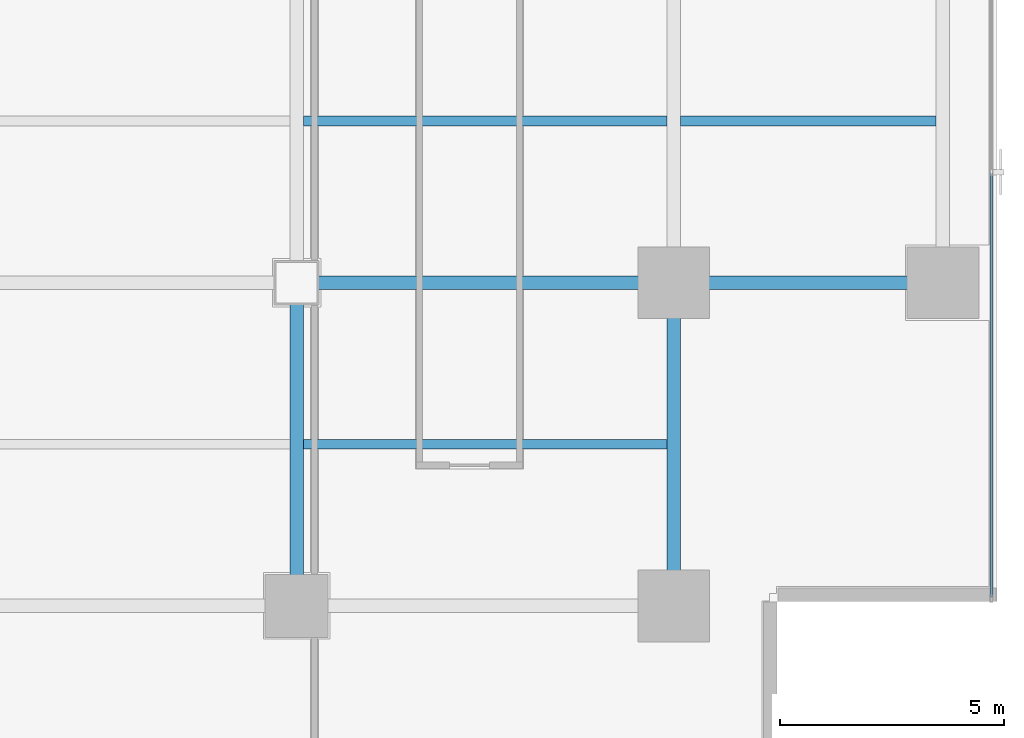
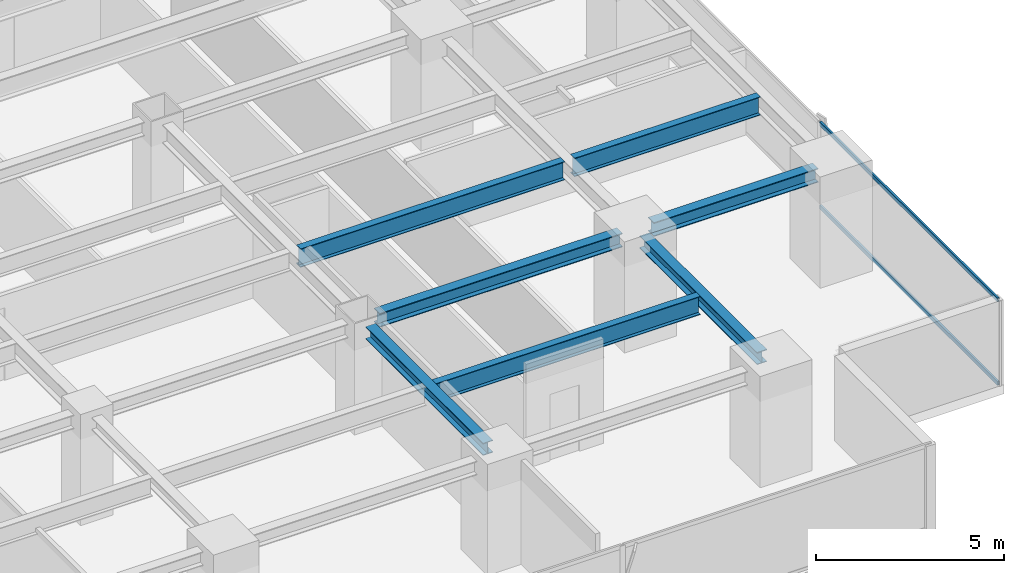
# One storey, part 10 of 29: 7 beams, 2 members, 1 element without a shape of its own.
"""IFC4 building model written with IfcOpenShell, lengths in metres."""

import ifcopenshell
import ifcopenshell.guid

model = None  # the IFC model being written
_history = None  # IfcOwnerHistory: only IFC2X3 demands one
_inside = {}  # id of a spatial element -> (the spatial element, [elements in it])
_under = {}  # id of a project, library or spatial element -> (it, [spatial elements below it])
_declared = {}  # id of a project -> (the project, [libraries it declares])
_typed = {}  # id of a type object -> (the type object, [elements of that type])
_made_of = {}  # id of a material, layer set ... -> (it, [elements and type objects made of it])


def new_model(schema):
    """Start an empty IFC model of exactly this schema.

    Asked for "IFC4X3", IfcOpenShell would pick the latest addendum, in which some entities
    have other attributes; the version numbers below select the first issue.
    IFC2X3 requires an IfcOwnerHistory on every rooted entity: one is made here for all.
    """
    global model, _history
    if schema == "IFC4X3":
        model = ifcopenshell.file(schema_version=(4, 3, 0, 0))
    else:
        model = ifcopenshell.file(schema=schema)
    _inside.clear()
    _under.clear()
    _declared.clear()
    _typed.clear()
    _made_of.clear()
    _history = None
    if model.schema == "IFC2X3":
        org = make("IfcOrganization", Name="unknown")
        user = make(
            "IfcPersonAndOrganization",
            ThePerson=make("IfcPerson", FamilyName="unknown"),
            TheOrganization=org,
        )
        app = make(
            "IfcApplication",
            ApplicationDeveloper=org,
            Version="unknown",
            ApplicationFullName="unknown",
            ApplicationIdentifier="unknown",
        )
        _history = make(
            "IfcOwnerHistory",
            OwningUser=user,
            OwningApplication=app,
            ChangeAction="ADDED",
            CreationDate=0,
        )
    return model


def make(cls, **values):
    """One entity of the class cls with the attributes given. An attribute that is None is left unset."""
    return model.create_entity(
        cls, **{name: value for name, value in values.items() if value is not None}
    )


def rooted(cls, **values):
    """An entity with a GlobalId (a new one), such as an element, a storey or a relation."""
    return make(cls, GlobalId=ifcopenshell.guid.new(), OwnerHistory=_history, **values)


def si_unit(unit_type, name, prefix=None):
    """IfcSIUnit, for example si_unit("LENGTHUNIT", "METRE", prefix="MILLI")."""
    return make("IfcSIUnit", UnitType=unit_type, Prefix=prefix, Name=name)


def assignment(units):
    """IfcUnitAssignment: the units of a project."""
    return None if units is None else make("IfcUnitAssignment", Units=units)


def point(xyz):
    """IfcCartesianPoint."""
    return None if xyz is None else make("IfcCartesianPoint", Coordinates=xyz)


def direction(xyz):
    """IfcDirection."""
    return None if xyz is None else make("IfcDirection", DirectionRatios=xyz)


def frame(location, z_axis=None, x_axis=None):
    """IfcAxis2Placement3D, a coordinate frame: its origin and axes. An axis left out is left unset."""
    return make(
        "IfcAxis2Placement3D",
        Location=point(location),
        Axis=direction(z_axis),
        RefDirection=direction(x_axis),
    )


def frame_2d(location, x_axis=None):
    """IfcAxis2Placement2D, a coordinate frame in the plane: its origin and x axis."""
    return make(
        "IfcAxis2Placement2D", Location=point(location), RefDirection=direction(x_axis)
    )


def origin():
    """The frame at (0, 0, 0) with its axes left unset."""
    return frame((0.0, 0.0, 0.0))


def origin_2d():
    """The frame at (0, 0) in the plane with its x axis left unset."""
    return frame_2d((0.0, 0.0))


def place(relative_to, where):
    """IfcLocalPlacement: puts the frame where relative to a parent placement (None: the world)."""
    return make(
        "IfcLocalPlacement", PlacementRelTo=relative_to, RelativePlacement=where
    )


def context(
    kind, dimensions, precision=None, world=None, true_north=None, identifier=None
):
    """IfcGeometricRepresentationContext, for example the 3D "Model" context."""
    return make(
        "IfcGeometricRepresentationContext",
        ContextIdentifier=identifier,
        ContextType=kind,
        CoordinateSpaceDimension=dimensions,
        Precision=precision,
        WorldCoordinateSystem=world,
        TrueNorth=true_north,
    )


def subcontext(parent, identifier, kind, view, scale=None):
    """IfcGeometricRepresentationSubContext, for example "Body" below "Model"."""
    return make(
        "IfcGeometricRepresentationSubContext",
        ContextIdentifier=identifier,
        ContextType=kind,
        ParentContext=parent,
        TargetScale=scale,
        TargetView=view,
    )


def project(units=None, contexts=None):
    """IfcProject with its units and contexts."""
    return rooted(
        "IfcProject",
        Name="project",
        RepresentationContexts=contexts,
        UnitsInContext=assignment(units),
    )


def spatial(cls, under=None, at=None, **own):
    """A site, building, storey or space (cls), placed at a placement, below another one or the project."""
    s = rooted(cls, ObjectPlacement=at, **own)
    if under is not None:
        _under.setdefault(under.id(), (under, []))[1].append(s)
    return s


def profile(cls, at=None, kind="AREA", **sizes):
    """A parametric profile (cls). Its sizes go by their IFC names, for example OverallWidth=200.0."""
    return make(cls, ProfileType=kind, Position=at, **sizes)


def hollow_rectangle(**sizes):
    """IfcRectangleHollowProfileDef."""
    return profile("IfcRectangleHollowProfileDef", **sizes)


def i_section(**sizes):
    """IfcIShapeProfileDef."""
    return profile("IfcIShapeProfileDef", **sizes)


def extrude(swept, where, along, depth):
    """IfcExtrudedAreaSolid: the profile swept, set in the frame where, extruded along a direction by depth."""
    return make(
        "IfcExtrudedAreaSolid",
        SweptArea=swept,
        Position=where,
        ExtrudedDirection=direction(along),
        Depth=depth,
    )


def shape(context_of_items, identifier, shape_type, items):
    """IfcShapeRepresentation: the items that make up one representation, for example the "Body"."""
    return make(
        "IfcShapeRepresentation",
        ContextOfItems=context_of_items,
        RepresentationIdentifier=identifier,
        RepresentationType=shape_type,
        Items=items,
    )


def source(mapping_origin, context_of_items, identifier, shape_type, items):
    """IfcRepresentationMap: a shape defined once, which mapped items show again and again."""
    return make(
        "IfcRepresentationMap",
        MappingOrigin=mapping_origin,
        MappedRepresentation=shape(context_of_items, identifier, shape_type, items),
    )


def transform(
    local_origin,
    x_axis=None,
    y_axis=None,
    z_axis=None,
    scale=None,
    scale2=None,
    scale3=None,
    uniform=True,
):
    """IfcCartesianTransformationOperator3D, or its non-uniform kind. x_axis, y_axis, z_axis: its Axis1, 2, 3."""
    if uniform:
        return make(
            "IfcCartesianTransformationOperator3D",
            Axis1=direction(x_axis),
            Axis2=direction(y_axis),
            LocalOrigin=point(local_origin),
            Scale=scale,
            Axis3=direction(z_axis),
        )
    return make(
        "IfcCartesianTransformationOperator3DnonUniform",
        Axis1=direction(x_axis),
        Axis2=direction(y_axis),
        LocalOrigin=point(local_origin),
        Scale=scale,
        Axis3=direction(z_axis),
        Scale2=scale2,
        Scale3=scale3,
    )


def mapped(mapping_source, mapping_target):
    """IfcMappedItem: shows the shape of a source again, moved by a transform."""
    return make(
        "IfcMappedItem", MappingSource=mapping_source, MappingTarget=mapping_target
    )


def material(Name=None, Category=None):
    """IfcMaterial."""
    return make("IfcMaterial", Name=Name, Category=Category)


def layer(
    of_material, thickness, ventilated=None, Name=None, Category=None, Priority=None
):
    """IfcMaterialLayer: one layer of a wall or slab, of a material (None: an air gap)."""
    return make(
        "IfcMaterialLayer",
        Material=of_material,
        LayerThickness=thickness,
        IsVentilated=ventilated,
        Name=Name,
        Category=Category,
        Priority=Priority,
    )


def layer_set(layers, Name=None):
    """IfcMaterialLayerSet."""
    return make("IfcMaterialLayerSet", MaterialLayers=layers, LayerSetName=Name)


def material_profile(
    of_material, cross_section, Name=None, Category=None, Priority=None
):
    """IfcMaterialProfile: a cross section and its material."""
    return make(
        "IfcMaterialProfile",
        Name=Name,
        Material=of_material,
        Profile=cross_section,
        Priority=Priority,
        Category=Category,
    )


def profile_set(profiles, Name=None, composite=None):
    """IfcMaterialProfileSet."""
    return make(
        "IfcMaterialProfileSet",
        Name=Name,
        MaterialProfiles=profiles,
        CompositeProfile=composite,
    )


def made_of(thing, what):
    """Note that an element or type object is made of a material, layer set ...; save() writes the relation."""
    if what is not None:
        _made_of.setdefault(what.id(), (what, []))[1].append(thing)
    return thing


def type_object(cls, material=None, **own):
    """A type object (cls), such as IfcWallType, which elements share."""
    return made_of(rooted(cls, **own), material)


def element(
    cls,
    number,
    at=None,
    inside=None,
    cuts=None,
    type_object=None,
    material=None,
    context=None,
    identifier="Body",
    shape_type=None,
    held_by="IfcProductDefinitionShape",
    body=None,
    shapes=None,
    **own,
):
    """One element of the class cls, such as IfcWall. Its Tag is "e" and its number.

    at: its placement. inside: the storey or other place that contains it. cuts: it is an
    opening in that element (IfcRelVoidsElement). A single representation is given by context,
    identifier, shape_type and body (its items); several are given by shapes. held_by: the class
    of the entity that holds the representations. save() writes the other relations.
    """
    e = rooted(cls, Tag="e%d" % number, ObjectPlacement=at, **own)
    if body is not None:
        shapes = [shape(context, identifier, shape_type, body)]
    if shapes is not None:
        e.Representation = make(held_by, Representations=shapes)
    if inside is not None:
        _inside.setdefault(inside.id(), (inside, []))[1].append(e)
    if cuts is not None:
        rooted(
            "IfcRelVoidsElement", RelatingBuildingElement=cuts, RelatedOpeningElement=e
        )
    if type_object is not None:
        _typed.setdefault(type_object.id(), (type_object, []))[1].append(e)
    return made_of(e, material)


def aggregate(whole, parts):
    """IfcRelAggregates: a whole, such as a stair, and the parts it consists of."""
    return rooted("IfcRelAggregates", RelatingObject=whole, RelatedObjects=parts)


def save(model, path):
    """Write the relations noted so far, then the file.

    IfcRelAggregates (storeys below a building ...), IfcRelContainedInSpatialStructure (elements
    in a storey), IfcRelDefinesByType, IfcRelAssociatesMaterial and IfcRelDeclares: one each for
    every whole, place, type object, material and project.
    """
    for whole, parts in _under.values():
        aggregate(whole, parts)
    for where, things in _inside.values():
        rooted(
            "IfcRelContainedInSpatialStructure",
            RelatedElements=things,
            RelatingStructure=where,
        )
    for kind, things in _typed.values():
        rooted("IfcRelDefinesByType", RelatedObjects=things, RelatingType=kind)
    for what, things in _made_of.values():
        rooted("IfcRelAssociatesMaterial", RelatedObjects=things, RelatingMaterial=what)
    for by, libraries in _declared.values():
        rooted("IfcRelDeclares", RelatingContext=by, RelatedDefinitions=libraries)
    model.write(path)


model = new_model("IFC4")

# Units and contexts
model_context = context("Model", 3, precision=1e-05, world=origin(), true_north=direction((0.0, 1.0)))
body_context = subcontext(model_context, "Body", "Model", "MODEL_VIEW")
ifc_project = project(units=[si_unit("LENGTHUNIT", "METRE"), si_unit("AREAUNIT", "SQUARE_METRE"), si_unit("VOLUMEUNIT", "CUBIC_METRE"), si_unit("PLANEANGLEUNIT", "RADIAN"), si_unit("MASSUNIT", "GRAM", prefix="KILO")], contexts=[model_context])

# Site, building, storey
site_placement = place(None, origin())
site = spatial("IfcSite", under=ifc_project, at=site_placement, CompositionType="ELEMENT")
building_placement = place(site_placement, origin())
building = spatial("IfcBuilding", under=site, at=building_placement, Name="Sumidabori Civic Tower", CompositionType="ELEMENT")
storey_placement = place(building_placement, frame((0.0, 0.0, 131.60009765625)))
storey = spatial("IfcBuildingStorey", under=building, at=storey_placement, Name="L33", CompositionType="ELEMENT", Elevation=131.60009765625)

# Beams
ifc_material_1 = material(Name="Steel SN490", Category="steel")
ifc_material_profile_1 = material_profile(ifc_material_1, i_section(OverallWidth=0.300048828125, OverallDepth=0.39990234375, WebThickness=0.013427734375, FlangeThickness=0.02392578125, at=origin_2d()), Name="HE 400 B")
ifc_profile_set_1 = profile_set([ifc_material_profile_1], Name="Steel SN490")
beam_type_1 = type_object("IfcBeamType", Name="BM-GIRD-400", PredefinedType="BEAM", material=ifc_profile_set_1)
shared_shape_1 = source(origin(), body_context, "Body", "SweptSolid", [
    extrude(i_section(OverallWidth=0.300048828125, OverallDepth=0.39990234375, WebThickness=0.013427734375, FlangeThickness=0.02392578125, at=origin_2d()), origin(), (0.0, 0.0, 1.0), 6.239990234375),
])
for number, where, z_axis, x_axis, name in (
    (1, (8.39990234375, -17.52001953125, 3.179931640625), (0.0, 1.0, 0.0), (-1.0, 0.0, 0.0), "Primary Girder L33 GY-30"),
    (2, (16.800048828125, -17.52001953125, 3.179931640625), (0.0, 1.0, 0.0), (-1.0, 0.0, 0.0), "Primary Girder L33 GY-32"),
):
    element("IfcBeam", number, at=place(storey_placement, frame(where, z_axis=z_axis, x_axis=x_axis)), inside=storey, type_object=beam_type_1, Name=name, PredefinedType="BEAM", context=body_context, shape_type="MappedRepresentation", body=[
        mapped(shared_shape_1, transform((0.0, 0.0, 0.0), x_axis=(1.0, 0.0, 0.0), y_axis=(0.0, 1.0, 0.0), z_axis=(0.0, 0.0, 1.0), scale=1.0)),
    ])
ifc_material_profile_2 = material_profile(ifc_material_1, i_section(OverallWidth=0.219970703125, OverallDepth=0.60009765625, WebThickness=0.011962890625, FlangeThickness=0.01904296875, at=origin_2d()), Name="IPE 600")
ifc_profile_set_2 = profile_set([ifc_material_profile_2], Name="Steel SN490")
beam_type_2 = type_object("IfcBeamType", Name="BM-JST-600", PredefinedType="JOIST", material=ifc_profile_set_2)
shared_shape_2 = source(origin(), body_context, "Body", "SweptSolid", [
    extrude(i_section(OverallWidth=0.219970703125, OverallDepth=0.60009765625, WebThickness=0.011962890625, FlangeThickness=0.01904296875, at=origin_2d()), origin(), (0.0, 0.0, 1.0), 5.699951171875),
])
beam_1_placement = place(storey_placement, frame((16.949951171875, -7.199951171875, 3.079833984375), z_axis=(1.0, 0.0, 0.0), x_axis=(0.0, 1.0, 0.0)))
element("IfcBeam", 3, at=beam_1_placement, inside=storey, type_object=beam_type_2, Name="Outer Bay Floor Joist L33 JSTO-40", PredefinedType="JOIST", context=body_context, shape_type="MappedRepresentation", body=[
    mapped(shared_shape_2, transform((0.0, 0.0, 0.0), x_axis=(1.0, 0.0, 0.0), y_axis=(0.0, 1.0, 0.0), z_axis=(0.0, 0.0, 1.0), scale=1.0)),
])
shared_shape_3 = source(origin(), body_context, "Body", "SweptSolid", [
    extrude(i_section(OverallWidth=0.219970703125, OverallDepth=0.60009765625, WebThickness=0.011962890625, FlangeThickness=0.01904296875, at=origin_2d()), origin(), (0.0, 0.0, 1.0), 8.099853515625),
])
for number, where, z_axis, x_axis, name in (
    (4, (8.550048828125, -14.39990234375, 3.079833984375), (1.0, 0.0, 0.0), (0.0, 1.0, 0.0), "South Bay Floor Joist L33 JSTS-52"),
    (5, (8.550048828125, -7.199951171875, 3.079833984375), (1.0, 0.0, 0.0), (0.0, 1.0, 0.0), "South Bay Floor Joist L33 JSTS-56"),
):
    element("IfcBeam", number, at=place(storey_placement, frame(where, z_axis=z_axis, x_axis=x_axis)), inside=storey, type_object=beam_type_2, Name=name, PredefinedType="JOIST", context=body_context, shape_type="MappedRepresentation", body=[
        mapped(shared_shape_3, transform((0.0, 0.0, 0.0), x_axis=(1.0, 0.0, 0.0), y_axis=(0.0, 1.0, 0.0), z_axis=(0.0, 0.0, 1.0), scale=1.0)),
    ])
ifc_material_profile_3 = material_profile(ifc_material_1, i_section(OverallWidth=0.300048828125, OverallDepth=0.449951171875, WebThickness=0.013916015625, FlangeThickness=0.02587890625, at=origin_2d()), Name="HE 450 B")
ifc_profile_set_3 = profile_set([ifc_material_profile_3], Name="Steel SN490")
beam_type_3 = type_object("IfcBeamType", Name="BM-GIRD-450", PredefinedType="BEAM", material=ifc_profile_set_3)
shared_shape_4 = source(origin(), body_context, "Body", "SweptSolid", [
    extrude(i_section(OverallWidth=0.300048828125, OverallDepth=0.449951171875, WebThickness=0.013916015625, FlangeThickness=0.02587890625, at=origin_2d()), origin(), (0.0, 0.0, 1.0), 7.440185546875),
])
beam_2_placement = place(storey_placement, frame((8.8798828125, -10.800048828125, 3.15478515625), z_axis=(1.0, 0.0, 0.0), x_axis=(0.0, 1.0, 0.0)))
element("IfcBeam", 6, at=beam_2_placement, inside=storey, type_object=beam_type_3, Name="Primary Girder L33 GX-09", PredefinedType="BEAM", context=body_context, shape_type="MappedRepresentation", body=[
    mapped(shared_shape_4, transform((0.0, 0.0, 0.0), x_axis=(1.0, 0.0, 0.0), y_axis=(0.0, 1.0, 0.0), z_axis=(0.0, 0.0, 1.0), scale=1.0)),
])
shared_shape_5 = source(origin(), body_context, "Body", "SweptSolid", [
    extrude(i_section(OverallWidth=0.300048828125, OverallDepth=0.449951171875, WebThickness=0.013916015625, FlangeThickness=0.02587890625, at=origin_2d()), origin(), (0.0, 0.0, 1.0), 5.0400390625),
])
beam_3_placement = place(storey_placement, frame((17.280029296875, -10.800048828125, 3.15478515625), z_axis=(1.0, 0.0, 0.0), x_axis=(0.0, 1.0, 0.0)))
element("IfcBeam", 7, at=beam_3_placement, inside=storey, type_object=beam_type_3, Name="Primary Girder L33 GX-10", PredefinedType="BEAM", context=body_context, shape_type="MappedRepresentation", body=[
    mapped(shared_shape_5, transform((0.0, 0.0, 0.0), x_axis=(1.0, 0.0, 0.0), y_axis=(0.0, 1.0, 0.0), z_axis=(0.0, 0.0, 1.0), scale=1.0)),
])

# Curtain wall, members
ifc_material_2 = material(Name="Anodised Bronze Aluminium AW-6063-T6", Category="aluminium")
ifc_layer = layer(ifc_material_2, 0.179931640625, Name="Anodised Bronze Aluminium AW-6063-T6")
ifc_layer_set = layer_set([ifc_layer], Name="Anodised Bronze Aluminium AW-6063-T6")
curtain_wall_type = type_object("IfcCurtainWallType", Name="CW-SYS-3", PredefinedType="NOTDEFINED", material=ifc_layer_set)
curtain_wall_placement = place(storey_placement, origin())
curtain_wall = element("IfcCurtainWall", 8, at=curtain_wall_placement, inside=storey, type_object=curtain_wall_type, Name="Curtain Wall CW:L33:R04", PredefinedType="NOTDEFINED")
ifc_material_profile_4 = material_profile(ifc_material_2, hollow_rectangle(XDim=0.06005859375, YDim=0.1298828125, WallThickness=0.0048828125, at=origin_2d()), Name="ALU TRANSOM 130x60")
ifc_profile_set_4 = profile_set([ifc_material_profile_4], Name="Anodised Bronze Aluminium AW-6063-T6")
member_type = type_object("IfcMemberType", Name="CW-TRN-130", PredefinedType="USERDEFINED", material=ifc_profile_set_4)
shared_shape_6 = source(origin(), body_context, "Body", "SweptSolid", [
    extrude(hollow_rectangle(XDim=0.06005859375, YDim=0.1298828125, WallThickness=0.0048828125, at=origin_2d()), origin(), (0.0, 0.0, 1.0), 9.4375),
])
member_1_placement = place(storey_placement, frame((23.8798828125, -17.804931640625, 0.02978515625), z_axis=(0.0, 1.0, 0.0), x_axis=(-1.0, 0.0, 0.0)))
member_1 = element("IfcMember", 9, at=member_1_placement, type_object=member_type, Name="CW-3 transom 1.1", ObjectType="TRANSOM", PredefinedType="USERDEFINED", context=body_context, shape_type="MappedRepresentation", body=[
    mapped(shared_shape_6, transform((0.0, 0.0, 0.0), x_axis=(1.0, 0.0, 0.0), y_axis=(0.0, 1.0, 0.0), z_axis=(0.0, 0.0, 1.0), scale=1.0)),
])
member_2_placement = place(storey_placement, frame((23.8798828125, -17.804931640625, 2.72998046875), z_axis=(0.0, 1.0, 0.0), x_axis=(-1.0, 0.0, 0.0)))
member_2 = element("IfcMember", 10, at=member_2_placement, type_object=member_type, Name="CW-3 transom 1.2", ObjectType="TRANSOM", PredefinedType="USERDEFINED", context=body_context, shape_type="MappedRepresentation", body=[
    mapped(shared_shape_6, transform((0.0, 0.0, 0.0), x_axis=(1.0, 0.0, 0.0), y_axis=(0.0, 1.0, 0.0), z_axis=(0.0, 0.0, 1.0), scale=1.0)),
])
aggregate(curtain_wall, [member_1, member_2])

save(model, "model.ifc")
